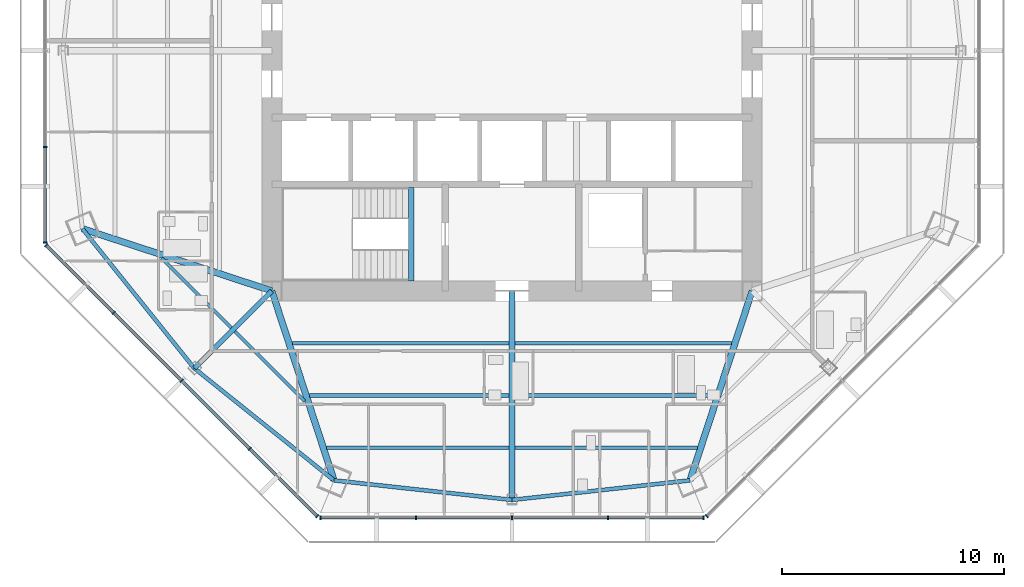
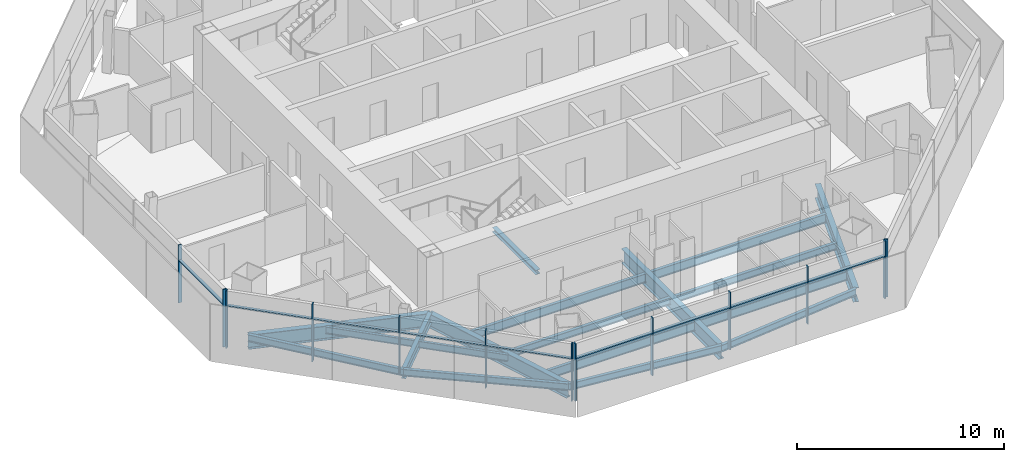
# One storey, part 2 of 15: 22 members, 18 beams, 4 elements without a shape of their own.
"""IFC4 building model written with IfcOpenShell, lengths in metres."""

from ifc_helpers import new_model, si_unit, direction, frame, origin, origin_2d, place, context, subcontext, project, spatial, rectangle, i_section, extrude, source, transform, mapped, material, material_profile, profile_set, type_object, type_shapes, element, aggregate, save


model = new_model("IFC4")

# Units and contexts
model_context = context("Model", 3, precision=1e-05, world=origin(), true_north=direction((0.0, 1.0)))
body_context = subcontext(model_context, "Body", "Model", "MODEL_VIEW")
ifc_project = project(units=[si_unit("LENGTHUNIT", "METRE"), si_unit("AREAUNIT", "SQUARE_METRE"), si_unit("VOLUMEUNIT", "CUBIC_METRE"), si_unit("PLANEANGLEUNIT", "RADIAN"), si_unit("MASSUNIT", "GRAM", prefix="KILO")], contexts=[model_context])

# Site, building, storey
site_placement = place(None, origin())
site = spatial("IfcSite", under=ifc_project, at=site_placement, CompositionType="ELEMENT")
building_placement = place(site_placement, origin())
building = spatial("IfcBuilding", under=site, at=building_placement, Name="Mashrafa Tower", CompositionType="ELEMENT")
storey_placement = place(building_placement, frame((0.0, 0.0, 248.199951171875)))
storey = spatial("IfcBuildingStorey", under=building, at=storey_placement, Name="L59", CompositionType="ELEMENT", Elevation=248.199951171875)

# Beams
ifc_material_1 = material(Name="Steel ASTM A992", Category="steel")
ifc_material_profile_1 = material_profile(ifc_material_1, i_section(OverallWidth=0.140380859375, OverallDepth=0.40380859375, WebThickness=0.007080078125, FlangeThickness=0.01123046875, FilletRadius=0.01025390625, at=origin_2d()), Name="W16X31")
ifc_profile_set_1 = profile_set([ifc_material_profile_1], Name="Steel ASTM A992")
beam_type_1 = type_object("IfcBeamType", Name="Beam W16X31", PredefinedType="BEAM", material=ifc_profile_set_1)
for number, where, z_axis, x_axis, name in (
    (1, (-12.6220703125, -12.4609375, -0.40185546875), (-0.707106781187, 0.707106781187, 0.0), (-0.707106781187, -0.707106781187, 0.0), "Floor beam L59 008"),
    (2, (-9.326904296875, -15.756103515625, -0.40185546875), (-0.707106781187, 0.707106781187, 0.0), (-0.707106781187, -0.707106781187, 0.0), "Floor beam L59 012"),
):
    element("IfcBeam", number, at=place(storey_placement, frame(where, z_axis=z_axis, x_axis=x_axis)), inside=storey, type_object=beam_type_1, Name=name, PredefinedType="BEAM", context=body_context, shape_type="SweptSolid", body=[
        extrude(i_section(OverallWidth=0.140380859375, OverallDepth=0.40380859375, WebThickness=0.007080078125, FlangeThickness=0.01123046875, FilletRadius=0.01025390625, at=origin_2d()), origin(), (0.0, 0.0, 1.0), 4.43212890625),
    ])
ifc_material_2 = material(Name="Steel ASTM A992", Category="steel")
ifc_material_profile_2 = material_profile(ifc_material_2, i_section(OverallWidth=0.177734375, OverallDepth=0.406494140625, WebThickness=0.0078125, FlangeThickness=0.012939453125, FilletRadius=0.01025390625, at=origin_2d()), Name="W16X40")
ifc_profile_set_2 = profile_set([ifc_material_profile_2], Name="Steel ASTM A992")
beam_type_2 = type_object("IfcBeamType", Name="Beam W16X40", PredefinedType="BEAM", material=ifc_profile_set_2)
for number, where, z_axis, x_axis, name in (
    (3, (-0.14599609375, -15.49951171875, -0.403076171875), (-1.0, 0.0, 0.0), (0.0, -1.0, 0.0), "Floor beam L59 015"),
    (4, (9.103515625, -15.49951171875, -0.403076171875), (-1.0, 0.0, 0.0), (0.0, -1.0, 0.0), "Floor beam L59 022"),
):
    element("IfcBeam", number, at=place(storey_placement, frame(where, z_axis=z_axis, x_axis=x_axis)), inside=storey, type_object=beam_type_2, Name=name, PredefinedType="BEAM", context=body_context, shape_type="SweptSolid", body=[
        extrude(i_section(OverallWidth=0.177734375, OverallDepth=0.406494140625, WebThickness=0.0078125, FlangeThickness=0.012939453125, FilletRadius=0.01025390625, at=origin_2d()), origin(), (0.0, 0.0, 1.0), 8.95751953125),
    ])
for number, where, z_axis, x_axis, name in (
    (5, (-19.32080078125, -8.0029296875, -0.403076171875), (0.625741043171, -0.780030862781, 0.0), (0.780030862781, 0.625741043171, 0.0), "Spandrel beam L59 050"),
    (6, (-14.282958984375, -14.282958984375, -0.403076171875), (0.780030862781, -0.625741043171, 0.0), (0.625741043171, 0.780030862781, 0.0), "Spandrel beam L59 052"),
    (7, (-8.0029296875, -19.32080078125, -0.403076171875), (0.994030035641, -0.109106774504, 0.0), (0.109106774504, 0.994030035641, 0.0), "Spandrel beam L59 054"),
    (8, (0.0, -20.19921875, -0.403076171875), (0.994030035641, 0.109106774504, 0.0), (-0.109106774504, 0.994030035641, 0.0), "Spandrel beam L59 056"),
):
    element("IfcBeam", number, at=place(storey_placement, frame(where, z_axis=z_axis, x_axis=x_axis)), inside=storey, type_object=beam_type_2, Name=name, PredefinedType="BEAM", context=body_context, shape_type="SweptSolid", body=[
        extrude(i_section(OverallWidth=0.177734375, OverallDepth=0.406494140625, WebThickness=0.0078125, FlangeThickness=0.012939453125, FilletRadius=0.01025390625, at=origin_2d()), origin(), (0.0, 0.0, 1.0), 8.051025390625),
    ])
ifc_material_3 = material(Name="Steel ASTM A992", Category="steel")
ifc_material_profile_3 = material_profile(ifc_material_3, i_section(OverallWidth=0.165771484375, OverallDepth=0.5283203125, WebThickness=0.009765625, FlangeThickness=0.013671875, FilletRadius=0.012939453125, at=origin_2d()), Name="W21X50")
ifc_profile_set_3 = profile_set([ifc_material_profile_3], Name="Steel ASTM A992")
beam_type_3 = type_object("IfcBeamType", Name="Beam W21X50", PredefinedType="BEAM", material=ifc_profile_set_3)
beam_1_placement = place(storey_placement, frame((-0.14599609375, -17.849365234375, -0.464111328125), z_axis=(-1.0, 0.0, 0.0), x_axis=(0.0, -1.0, 0.0)))
element("IfcBeam", 9, at=beam_1_placement, inside=storey, type_object=beam_type_3, Name="Floor beam L59 014", PredefinedType="BEAM", context=body_context, shape_type="SweptSolid", body=[
    extrude(i_section(OverallWidth=0.165771484375, OverallDepth=0.5283203125, WebThickness=0.009765625, FlangeThickness=0.013671875, FilletRadius=0.012939453125, at=origin_2d()), origin(), (0.0, 0.0, 1.0), 8.186279296875),
])
beam_2_placement = place(storey_placement, frame((-0.14599609375, -13.14990234375, -0.464111328125), z_axis=(-1.0, 0.0, 0.0), x_axis=(0.0, -1.0, 0.0)))
element("IfcBeam", 10, at=beam_2_placement, inside=storey, type_object=beam_type_3, Name="Floor beam L59 016", PredefinedType="BEAM", context=body_context, shape_type="SweptSolid", body=[
    extrude(i_section(OverallWidth=0.165771484375, OverallDepth=0.5283203125, WebThickness=0.009765625, FlangeThickness=0.013671875, FilletRadius=0.012939453125, at=origin_2d()), origin(), (0.0, 0.0, 1.0), 9.72900390625),
])
beam_3_placement = place(storey_placement, frame((8.332275390625, -17.849365234375, -0.464111328125), z_axis=(-1.0, 0.0, 0.0), x_axis=(0.0, -1.0, 0.0)))
element("IfcBeam", 11, at=beam_3_placement, inside=storey, type_object=beam_type_3, Name="Floor beam L59 020", PredefinedType="BEAM", context=body_context, shape_type="SweptSolid", body=[
    extrude(i_section(OverallWidth=0.165771484375, OverallDepth=0.5283203125, WebThickness=0.009765625, FlangeThickness=0.013671875, FilletRadius=0.012939453125, at=origin_2d()), origin(), (0.0, 0.0, 1.0), 8.186279296875),
])
beam_4_placement = place(storey_placement, frame((9.875, -13.14990234375, -0.464111328125), z_axis=(-1.0, 0.0, 0.0), x_axis=(0.0, -1.0, 0.0)))
element("IfcBeam", 12, at=beam_4_placement, inside=storey, type_object=beam_type_3, Name="Floor beam L59 023", PredefinedType="BEAM", context=body_context, shape_type="SweptSolid", body=[
    extrude(i_section(OverallWidth=0.165771484375, OverallDepth=0.5283203125, WebThickness=0.009765625, FlangeThickness=0.013671875, FilletRadius=0.012939453125, at=origin_2d()), origin(), (0.0, 0.0, 1.0), 9.72900390625),
])
ifc_material_4 = material(Name="Steel ASTM A992", Category="steel")
ifc_material_profile_4 = material_profile(ifc_material_4, i_section(OverallWidth=0.227783203125, OverallDepth=0.60205078125, WebThickness=0.010498046875, FlangeThickness=0.014892578125, FilletRadius=0.012939453125, at=origin_2d()), Name="W24X68")
ifc_profile_set_4 = profile_set([ifc_material_profile_4], Name="Steel ASTM A992")
beam_type_4 = type_object("IfcBeamType", Name="Beam W24X68", PredefinedType="BEAM", material=ifc_profile_set_4)
beam_5_placement = place(storey_placement, frame((-10.800048828125, -10.800048828125, -0.5009765625), z_axis=(-0.707106781187, -0.707106781187, 0.0), x_axis=(0.707106781187, -0.707106781187, 0.0)))
element("IfcBeam", 13, at=beam_5_placement, inside=storey, type_object=beam_type_4, Name="Radial girder L59 034", PredefinedType="BEAM", context=body_context, shape_type="SweptSolid", body=[
    extrude(i_section(OverallWidth=0.227783203125, OverallDepth=0.60205078125, WebThickness=0.010498046875, FlangeThickness=0.014892578125, FilletRadius=0.012939453125, at=origin_2d()), origin(), (0.0, 0.0, 1.0), 4.925537109375),
])
ifc_material_5 = material(Name="Steel ASTM A992", Category="steel")
ifc_material_profile_5 = material_profile(ifc_material_5, i_section(OverallWidth=0.2919921875, OverallDepth=0.8408203125, WebThickness=0.0146484375, FlangeThickness=0.021728515625, FilletRadius=0.017333984375, at=origin_2d()), Name="W33X130")
ifc_profile_set_5 = profile_set([ifc_material_profile_5], Name="Steel ASTM A992")
beam_type_5 = type_object("IfcBeamType", Name="Beam W33X130", PredefinedType="BEAM", material=ifc_profile_set_5)
for number, where, z_axis, x_axis, name in (
    (14, (-10.800048828125, -10.800048828125, -0.620361328125), (-0.950116251982, 0.311895988624, 0.0), (-0.311895988624, -0.950116251982, 0.0), "Radial girder L59 033"),
    (15, (-10.800048828125, -10.800048828125, -0.620361328125), (0.311895988624, -0.950116251982, 0.0), (0.950116251982, 0.311895988624, 0.0), "Radial girder L59 035"),
    (16, (10.800048828125, -10.800048828125, -0.620361328125), (-0.311895988624, -0.950116251982, 0.0), (0.950116251982, -0.311895988624, 0.0), "Radial girder L59 042"),
):
    element("IfcBeam", number, at=place(storey_placement, frame(where, z_axis=z_axis, x_axis=x_axis)), inside=storey, type_object=beam_type_5, Name=name, PredefinedType="BEAM", context=body_context, shape_type="SweptSolid", body=[
        extrude(i_section(OverallWidth=0.2919921875, OverallDepth=0.8408203125, WebThickness=0.0146484375, FlangeThickness=0.021728515625, FilletRadius=0.017333984375, at=origin_2d()), origin(), (0.0, 0.0, 1.0), 8.968017578125),
    ])
ifc_material_6 = material(Name="Steel ASTM A992", Category="steel")
ifc_material_profile_6 = material_profile(ifc_material_6, i_section(OverallWidth=0.2919921875, OverallDepth=0.8583984375, WebThickness=0.01708984375, FlangeThickness=0.031005859375, FilletRadius=0.017822265625, at=origin_2d()), Name="W33X169")
ifc_profile_set_6 = profile_set([ifc_material_profile_6], Name="Steel ASTM A992")
beam_type_6 = type_object("IfcBeamType", Name="Beam W33X169", PredefinedType="BEAM", material=ifc_profile_set_6)
beam_6_placement = place(storey_placement, frame((0.0, -10.800048828125, -0.629150390625), z_axis=(0.0, -1.0, 0.0), x_axis=(1.0, 0.0, 0.0)))
element("IfcBeam", 17, at=beam_6_placement, inside=storey, type_object=beam_type_6, Name="Radial girder L59 040", PredefinedType="BEAM", context=body_context, shape_type="SweptSolid", body=[
    extrude(i_section(OverallWidth=0.2919921875, OverallDepth=0.8583984375, WebThickness=0.01708984375, FlangeThickness=0.031005859375, FilletRadius=0.017822265625, at=origin_2d()), origin(), (0.0, 0.0, 1.0), 9.399169921875),
])
ifc_material_7 = material(Name="Steel ASTM A992", Category="steel")
ifc_material_profile_7 = material_profile(ifc_material_7, i_section(OverallWidth=0.25390625, OverallDepth=0.25390625, WebThickness=0.008544921875, FlangeThickness=0.01416015625, FilletRadius=0.010009765625, at=origin_2d()), Name="W10X49")
ifc_profile_set_7 = profile_set([ifc_material_profile_7], Name="Steel ASTM A992")
beam_type_7 = type_object("IfcBeamType", Name="Hoistway beam W10X49", PredefinedType="BEAM", material=ifc_profile_set_7)
beam_7_placement = place(storey_placement, frame((-4.530029296875, -10.35009765625, -0.326904296875), z_axis=(0.0, 1.0, 0.0), x_axis=(-1.0, 0.0, 0.0)))
element("IfcBeam", 18, at=beam_7_placement, inside=storey, type_object=beam_type_7, Name="Stair S3 landing beam L59", PredefinedType="BEAM", context=body_context, shape_type="SweptSolid", body=[
    extrude(i_section(OverallWidth=0.25390625, OverallDepth=0.25390625, WebThickness=0.008544921875, FlangeThickness=0.01416015625, FilletRadius=0.010009765625, at=origin_2d()), origin(), (0.0, 0.0, 1.0), 4.2001953125),
])

# Curtain wall, members
ifc_material_8 = material(Name="Unitised aluminium curtain wall", Category="aluminium")
curtain_wall_type = type_object("IfcCurtainWallType", Name="Apartment curtain wall, zone 3 CW-C 180 deep", PredefinedType="NOTDEFINED", material=ifc_material_8)
curtain_wall_1_placement = place(storey_placement, origin())
curtain_wall_1 = element("IfcCurtainWall", 19, at=curtain_wall_1_placement, inside=storey, type_object=curtain_wall_type, Name="Apartment curtain wall, zone 3 L59 west", PredefinedType="NOTDEFINED")
ifc_material_9 = material(Name="Extruded aluminium mullion", Category="aluminium")
ifc_material_profile_8 = material_profile(ifc_material_9, rectangle(XDim=0.179931640625, YDim=0.06005859375, at=origin_2d()), Name="Mullion 60x180")
ifc_profile_set_8 = profile_set([ifc_material_profile_8], Name="Extruded aluminium mullion")
member_type_1 = type_object("IfcMemberType", Name="Mullion CW-C 60 x 180", PredefinedType="MULLION", material=ifc_profile_set_8)
shared_shape_1 = source(origin(), body_context, "Body", "SweptSolid", [
    extrude(rectangle(XDim=0.179931640625, YDim=0.06005859375, at=origin_2d()), origin(), (0.0, 0.0, 1.0), 3.400146484375),
])
type_shapes(member_type_1, [shared_shape_1])
member_1_placement = place(storey_placement, frame((-20.993408203125, -4.32421875, 0.0), z_axis=(0.0, 0.0, 1.0), x_axis=(1.0, 0.0, 0.0)))
member_1 = element("IfcMember", 20, at=member_1_placement, type_object=member_type_1, Name="CW-C mullion 4", PredefinedType="MULLION", context=body_context, shape_type="MappedRepresentation", body=[
    mapped(shared_shape_1, transform((0.0, 0.0, 0.0))),
])
member_2_placement = place(storey_placement, frame((-20.993408203125, -8.618408203125, 0.0), z_axis=(0.0, 0.0, 1.0), x_axis=(1.0, 0.0, 0.0)))
member_2 = element("IfcMember", 21, at=member_2_placement, type_object=member_type_1, Name="CW-C mullion 5", PredefinedType="MULLION", context=body_context, shape_type="MappedRepresentation", body=[
    mapped(shared_shape_1, transform((0.0, 0.0, 0.0))),
])

curtain_wall_2_placement = place(storey_placement, origin())
curtain_wall_2 = element("IfcCurtainWall", 22, at=curtain_wall_2_placement, inside=storey, type_object=curtain_wall_type, Name="Apartment curtain wall, zone 3 L59 south-west", PredefinedType="NOTDEFINED")
member_3_placement = place(storey_placement, frame((-20.93896484375, -8.75048828125, 0.0), z_axis=(0.0, 0.0, 1.0), x_axis=(0.707106781187, 0.707106781187, 0.0)))
member_3 = element("IfcMember", 23, at=member_3_placement, type_object=member_type_1, Name="CW-C mullion 1", PredefinedType="MULLION", context=body_context, shape_type="MappedRepresentation", body=[
    mapped(shared_shape_1, transform((0.0, 0.0, 0.0))),
])
member_4_placement = place(storey_placement, frame((-17.90234375, -11.786865234375, 0.0), z_axis=(0.0, 0.0, 1.0), x_axis=(0.707106781187, 0.707106781187, 0.0)))
member_4 = element("IfcMember", 24, at=member_4_placement, type_object=member_type_1, Name="CW-C mullion 2", PredefinedType="MULLION", context=body_context, shape_type="MappedRepresentation", body=[
    mapped(shared_shape_1, transform((0.0, 0.0, 0.0))),
])
member_5_placement = place(storey_placement, frame((-14.8447265625, -14.8447265625, 0.0), z_axis=(0.0, 0.0, 1.0), x_axis=(0.707106781187, 0.707106781187, 0.0)))
member_5 = element("IfcMember", 25, at=member_5_placement, type_object=member_type_1, Name="CW-C mullion 3", PredefinedType="MULLION", context=body_context, shape_type="MappedRepresentation", body=[
    mapped(shared_shape_1, transform((0.0, 0.0, 0.0))),
])
member_6_placement = place(storey_placement, frame((-11.786865234375, -17.90234375, 0.0), z_axis=(0.0, 0.0, 1.0), x_axis=(0.707106781187, 0.707106781187, 0.0)))
member_6 = element("IfcMember", 26, at=member_6_placement, type_object=member_type_1, Name="CW-C mullion 4", PredefinedType="MULLION", context=body_context, shape_type="MappedRepresentation", body=[
    mapped(shared_shape_1, transform((0.0, 0.0, 0.0))),
])
member_7_placement = place(storey_placement, frame((-8.75048828125, -20.93896484375, 0.0), z_axis=(0.0, 0.0, 1.0), x_axis=(0.707106781187, 0.707106781187, 0.0)))
member_7 = element("IfcMember", 27, at=member_7_placement, type_object=member_type_1, Name="CW-C mullion 5", PredefinedType="MULLION", context=body_context, shape_type="MappedRepresentation", body=[
    mapped(shared_shape_1, transform((0.0, 0.0, 0.0))),
])

curtain_wall_3_placement = place(storey_placement, origin())
curtain_wall_3 = element("IfcCurtainWall", 28, at=curtain_wall_3_placement, inside=storey, type_object=curtain_wall_type, Name="Apartment curtain wall, zone 3 L59 south", PredefinedType="NOTDEFINED")
member_8_placement = place(storey_placement, frame((-8.618408203125, -20.993408203125, 0.0), z_axis=(0.0, 0.0, 1.0), x_axis=(0.0, 1.0, 0.0)))
member_8 = element("IfcMember", 29, at=member_8_placement, type_object=member_type_1, Name="CW-C mullion 1", PredefinedType="MULLION", context=body_context, shape_type="MappedRepresentation", body=[
    mapped(shared_shape_1, transform((0.0, 0.0, 0.0))),
])
member_9_placement = place(storey_placement, frame((-4.32421875, -20.993408203125, 0.0), z_axis=(0.0, 0.0, 1.0), x_axis=(0.0, 1.0, 0.0)))
member_9 = element("IfcMember", 30, at=member_9_placement, type_object=member_type_1, Name="CW-C mullion 2", PredefinedType="MULLION", context=body_context, shape_type="MappedRepresentation", body=[
    mapped(shared_shape_1, transform((0.0, 0.0, 0.0))),
])
member_10_placement = place(storey_placement, frame((0.0, -20.993408203125, 0.0), z_axis=(0.0, 0.0, 1.0), x_axis=(0.0, 1.0, 0.0)))
member_10 = element("IfcMember", 31, at=member_10_placement, type_object=member_type_1, Name="CW-C mullion 3", PredefinedType="MULLION", context=body_context, shape_type="MappedRepresentation", body=[
    mapped(shared_shape_1, transform((0.0, 0.0, 0.0))),
])
member_11_placement = place(storey_placement, frame((4.32421875, -20.993408203125, 0.0), z_axis=(0.0, 0.0, 1.0), x_axis=(0.0, 1.0, 0.0)))
member_11 = element("IfcMember", 32, at=member_11_placement, type_object=member_type_1, Name="CW-C mullion 4", PredefinedType="MULLION", context=body_context, shape_type="MappedRepresentation", body=[
    mapped(shared_shape_1, transform((0.0, 0.0, 0.0))),
])
member_12_placement = place(storey_placement, frame((8.618408203125, -20.993408203125, 0.0), z_axis=(0.0, 0.0, 1.0), x_axis=(0.0, 1.0, 0.0)))
member_12 = element("IfcMember", 33, at=member_12_placement, type_object=member_type_1, Name="CW-C mullion 5", PredefinedType="MULLION", context=body_context, shape_type="MappedRepresentation", body=[
    mapped(shared_shape_1, transform((0.0, 0.0, 0.0))),
])

# Curtain wall, member
curtain_wall_4_placement = place(storey_placement, origin())
curtain_wall_4 = element("IfcCurtainWall", 34, at=curtain_wall_4_placement, inside=storey, type_object=curtain_wall_type, Name="Apartment curtain wall, zone 3 L59 south-east", PredefinedType="NOTDEFINED")
member_13_placement = place(storey_placement, frame((8.75048828125, -20.93896484375, 0.0), z_axis=(0.0, 0.0, 1.0), x_axis=(-0.707106781187, 0.707106781187, 0.0)))
member_13 = element("IfcMember", 35, at=member_13_placement, type_object=member_type_1, Name="CW-C mullion 1", PredefinedType="MULLION", context=body_context, shape_type="MappedRepresentation", body=[
    mapped(shared_shape_1, transform((0.0, 0.0, 0.0))),
])
aggregate(curtain_wall_4, [member_13])

# Member
ifc_material_10 = material(Name="Extruded aluminium transom", Category="aluminium")
ifc_material_profile_9 = material_profile(ifc_material_10, rectangle(XDim=0.14404296875, YDim=0.074951171875, at=origin_2d()), Name="Transom 75x144")
ifc_profile_set_9 = profile_set([ifc_material_profile_9], Name="Extruded aluminium transom")
member_type_2 = type_object("IfcMemberType", Name="Transom CW-C 75 x 144", PredefinedType="MULLION", material=ifc_profile_set_9)
shared_shape_2 = source(origin(), body_context, "Body", "SweptSolid", [
    extrude(rectangle(XDim=0.14404296875, YDim=0.074951171875, at=origin_2d()), origin(), (0.0, 0.0, 1.0), 4.234375),
])
member_14_placement = place(storey_placement, frame((-20.993408203125, -4.354248046875, 2.5), z_axis=(0.0, -1.0, 0.0), x_axis=(1.0, 0.0, 0.0)))
member_14 = element("IfcMember", 36, at=member_14_placement, type_object=member_type_2, Name="CW-C transom 4", PredefinedType="MULLION", context=body_context, shape_type="MappedRepresentation", body=[
    mapped(shared_shape_2, transform((0.0, 0.0, 0.0))),
])

aggregate(curtain_wall_1, [member_1, member_2, member_14])

member_15_placement = place(storey_placement, frame((-8.588623046875, -20.993408203125, 2.5), z_axis=(1.0, 0.0, 0.0), x_axis=(0.0, 1.0, 0.0)))
member_15 = element("IfcMember", 37, at=member_15_placement, type_object=member_type_2, Name="CW-C transom 1", PredefinedType="MULLION", context=body_context, shape_type="MappedRepresentation", body=[
    mapped(shared_shape_2, transform((0.0, 0.0, 0.0))),
])

member_16_placement = place(storey_placement, frame((4.354248046875, -20.993408203125, 2.5), z_axis=(1.0, 0.0, 0.0), x_axis=(0.0, 1.0, 0.0)))
member_16 = element("IfcMember", 38, at=member_16_placement, type_object=member_type_2, Name="CW-C transom 4", PredefinedType="MULLION", context=body_context, shape_type="MappedRepresentation", body=[
    mapped(shared_shape_2, transform((0.0, 0.0, 0.0))),
])

shared_shape_3 = source(origin(), body_context, "Body", "SweptSolid", [
    extrude(rectangle(XDim=0.14404296875, YDim=0.074951171875, at=origin_2d()), origin(), (0.0, 0.0, 1.0), 4.26416015625),
])
member_17_placement = place(storey_placement, frame((-17.881103515625, -11.80810546875, 2.5), z_axis=(0.707078153961, -0.707135407253, 0.0), x_axis=(0.707135407253, 0.707078153961, 0.0)))
member_17 = element("IfcMember", 39, at=member_17_placement, type_object=member_type_2, Name="CW-C transom 2", PredefinedType="MULLION", context=body_context, shape_type="MappedRepresentation", body=[
    mapped(shared_shape_3, transform((0.0, 0.0, 0.0))),
])

member_18_placement = place(storey_placement, frame((-14.823486328125, -14.865966796875, 2.5), z_axis=(0.707135407253, -0.707078153961, 0.0), x_axis=(0.707078153961, 0.707135407253, 0.0)))
member_18 = element("IfcMember", 40, at=member_18_placement, type_object=member_type_2, Name="CW-C transom 3", PredefinedType="MULLION", context=body_context, shape_type="MappedRepresentation", body=[
    mapped(shared_shape_3, transform((0.0, 0.0, 0.0))),
])

member_19_placement = place(storey_placement, frame((-4.294189453125, -20.993408203125, 2.5), z_axis=(1.0, 0.0, 0.0), x_axis=(0.0, 1.0, 0.0)))
member_19 = element("IfcMember", 41, at=member_19_placement, type_object=member_type_2, Name="CW-C transom 2", PredefinedType="MULLION", context=body_context, shape_type="MappedRepresentation", body=[
    mapped(shared_shape_3, transform((0.0, 0.0, 0.0))),
])

member_20_placement = place(storey_placement, frame((0.030029296875, -20.993408203125, 2.5), z_axis=(1.0, 0.0, 0.0), x_axis=(0.0, 1.0, 0.0)))
member_20 = element("IfcMember", 42, at=member_20_placement, type_object=member_type_2, Name="CW-C transom 3", PredefinedType="MULLION", context=body_context, shape_type="MappedRepresentation", body=[
    mapped(shared_shape_3, transform((0.0, 0.0, 0.0))),
])

aggregate(curtain_wall_3, [member_8, member_9, member_10, member_11, member_12, member_15, member_19, member_20, member_16])

shared_shape_4 = source(origin(), body_context, "Body", "SweptSolid", [
    extrude(rectangle(XDim=0.14404296875, YDim=0.074951171875, at=origin_2d()), origin(), (0.0, 0.0, 1.0), 4.234130859375),
])
type_shapes(member_type_2, [shared_shape_2, shared_shape_3, shared_shape_4])
member_21_placement = place(storey_placement, frame((-20.917724609375, -8.771728515625, 2.5), z_axis=(0.707135610329, -0.707077950869, 0.0), x_axis=(0.707077950869, 0.707135610329, 0.0)))
member_21 = element("IfcMember", 43, at=member_21_placement, type_object=member_type_2, Name="CW-C transom 1", PredefinedType="MULLION", context=body_context, shape_type="MappedRepresentation", body=[
    mapped(shared_shape_4, transform((0.0, 0.0, 0.0))),
])

member_22_placement = place(storey_placement, frame((-11.765625, -17.923583984375, 2.5), z_axis=(0.707077950869, -0.707135610329, 0.0), x_axis=(0.707135610329, 0.707077950869, 0.0)))
member_22 = element("IfcMember", 44, at=member_22_placement, type_object=member_type_2, Name="CW-C transom 4", PredefinedType="MULLION", context=body_context, shape_type="MappedRepresentation", body=[
    mapped(shared_shape_4, transform((0.0, 0.0, 0.0))),
])

aggregate(curtain_wall_2, [member_3, member_4, member_5, member_6, member_7, member_21, member_17, member_18, member_22])

save(model, "model.ifc")
